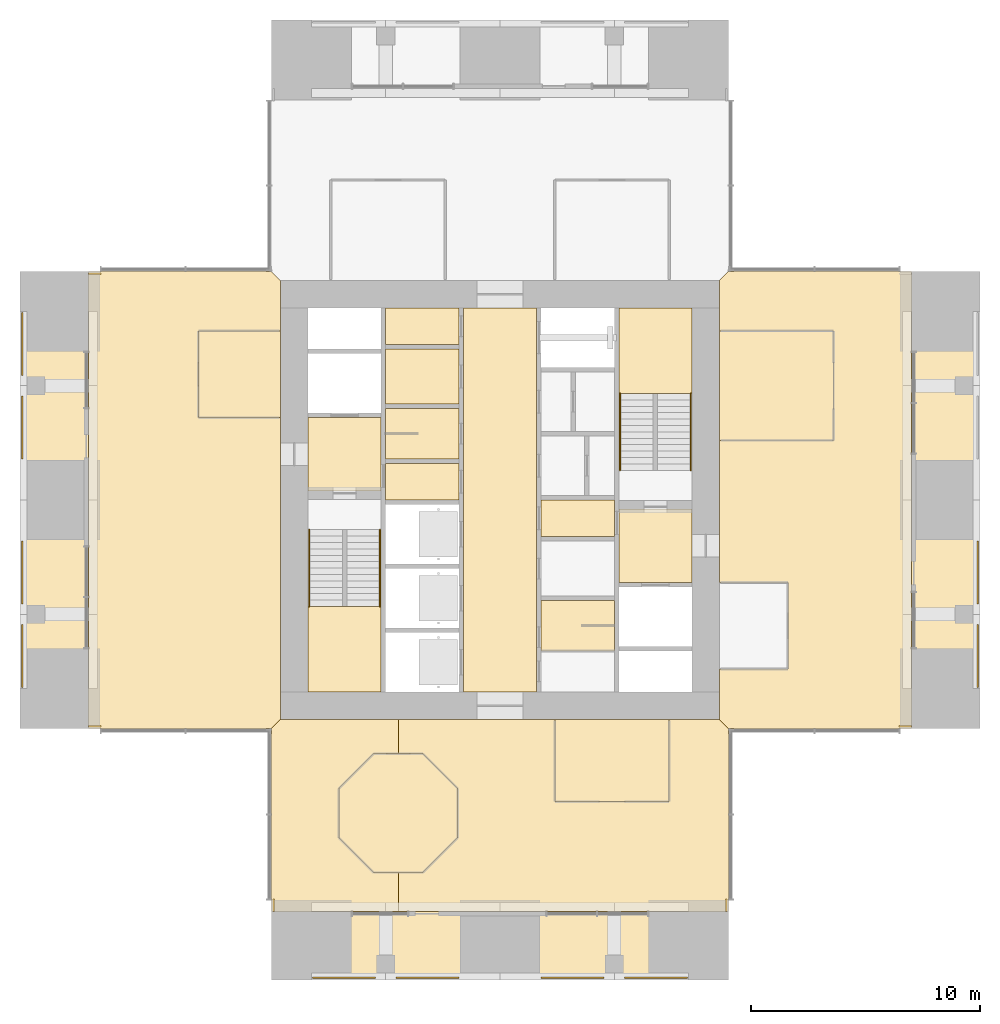
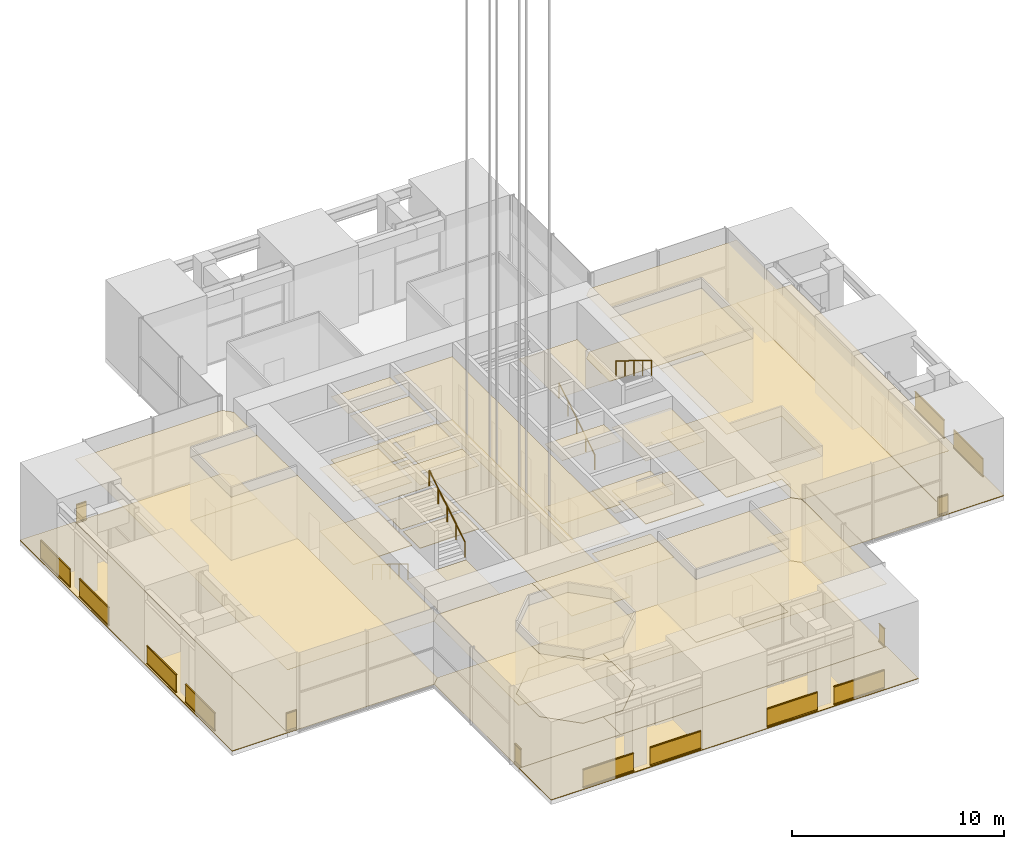
# One storey, part 15 of 17: 38 coverings, 19 railings.
"""IFC4 building model written with IfcOpenShell, lengths in metres."""

from ifc_helpers import new_model, si_unit, direction, frame, origin, origin_2d, place, context, subcontext, project, spatial, polyline, rectangle, circle, outline, extrude, material, layer, layer_set, type_object, element, save


model = new_model("IFC4")

# Units and contexts
model_context = context("Model", 3, precision=1e-05, world=origin(), true_north=direction((0.0, 1.0)))
body_context = subcontext(model_context, "Body", "Model", "MODEL_VIEW")
ifc_project = project(units=[si_unit("LENGTHUNIT", "METRE"), si_unit("AREAUNIT", "SQUARE_METRE"), si_unit("VOLUMEUNIT", "CUBIC_METRE"), si_unit("PLANEANGLEUNIT", "RADIAN"), si_unit("MASSUNIT", "GRAM", prefix="KILO")], contexts=[model_context])

# Site, building, storey
site_placement = place(None, origin())
site = spatial("IfcSite", under=ifc_project, at=site_placement, CompositionType="ELEMENT")
building_placement = place(site_placement, origin())
building = spatial("IfcBuilding", under=site, at=building_placement, Name="Svetlomir Tower", CompositionType="ELEMENT")
storey_placement = place(building_placement, frame((0.0, 0.0, 239.5)))
storey = spatial("IfcBuildingStorey", under=building, at=storey_placement, Name="L57", CompositionType="ELEMENT", Elevation=239.5)

# Railings
ifc_material_1 = material(Name="Bronze anodised aluminium and laminated glass", Category="aluminium")
railing_type_1 = type_object("IfcRailingType", Name="BALCONY GUARD GR1 1100", PredefinedType="GUARDRAIL", material=ifc_material_1)
for number, where, name in (
    (1, (12.800048828125, 0.10009765625, 0.0), "Loggia guard S L57 bay 1"),
    (2, (16.449951171875, 0.10009765625, 0.0), "Loggia guard S L57 bay 2"),
    (3, (22.800048828125, 0.10009765625, 0.0), "Loggia guard S L57 bay 3"),
    (4, (26.449951171875, 0.10009765625, 0.0), "Loggia guard S L57 bay 4"),
):
    element("IfcRailing", number, at=place(storey_placement, frame(where)), inside=storey, type_object=railing_type_1, Name=name, PredefinedType="GUARDRAIL", context=body_context, shape_type="SweptSolid", body=[
        extrude(rectangle(XDim=0.06005859375, YDim=0.10009765625, at=origin_2d()), frame((0.0, 0.0, 0.050048828125), z_axis=(1.0, 0.0, 0.0), x_axis=(0.0, 1.0, 0.0)), (0.0, 0.0, 1.0), 2.75),
        extrude(rectangle(XDim=0.021484375, YDim=0.960205078125, at=origin_2d()), frame((0.0, 0.0, 0.580078125), z_axis=(1.0, 0.0, 0.0), x_axis=(0.0, 1.0, 0.0)), (0.0, 0.0, 1.0), 2.75),
        extrude(rectangle(XDim=0.06005859375, YDim=0.0400390625, at=origin_2d()), frame((0.0, 0.0, 1.080078125), z_axis=(1.0, 0.0, 0.0), x_axis=(0.0, 1.0, 0.0)), (0.0, 0.0, 1.0), 2.75),
    ])
for number, where, name in (
    (5, (11.10009765625, 3.550048828125, 0.0), "Loggia guard S L57 end 1"),
    (6, (30.89990234375, 3.550048828125, 0.0), "Loggia guard S L57 end 2"),
):
    element("IfcRailing", number, at=place(storey_placement, frame(where)), inside=storey, type_object=railing_type_1, Name=name, PredefinedType="GUARDRAIL", context=body_context, shape_type="SweptSolid", body=[
        extrude(rectangle(XDim=0.06005859375, YDim=0.10009765625, at=origin_2d()), frame((0.0, 0.0, 0.050048828125), z_axis=(0.0, -1.0, 0.0), x_axis=(1.0, 0.0, 0.0)), (0.0, 0.0, 1.0), 0.550048828125),
        extrude(rectangle(XDim=0.021484375, YDim=0.960205078125, at=origin_2d()), frame((0.0, 0.0, 0.580078125), z_axis=(0.0, -1.0, 0.0), x_axis=(1.0, 0.0, 0.0)), (0.0, 0.0, 1.0), 0.550048828125),
        extrude(rectangle(XDim=0.06005859375, YDim=0.0400390625, at=origin_2d()), frame((0.0, 0.0, 1.080078125), z_axis=(0.0, -1.0, 0.0), x_axis=(1.0, 0.0, 0.0)), (0.0, 0.0, 1.0), 0.550048828125),
    ])
for number, where, name in (
    (7, (41.89990234375, 12.800048828125, 0.0), "Loggia guard E L57 bay 1"),
    (8, (41.89990234375, 16.449951171875, 0.0), "Loggia guard E L57 bay 2"),
):
    element("IfcRailing", number, at=place(storey_placement, frame(where)), inside=storey, type_object=railing_type_1, Name=name, PredefinedType="GUARDRAIL", context=body_context, shape_type="SweptSolid", body=[
        extrude(rectangle(XDim=0.06005859375, YDim=0.10009765625, at=origin_2d()), frame((0.0, 0.0, 0.050048828125), z_axis=(0.0, 1.0, 0.0), x_axis=(-1.0, 0.0, 0.0)), (0.0, 0.0, 1.0), 2.75),
        extrude(rectangle(XDim=0.021484375, YDim=0.960205078125, at=origin_2d()), frame((0.0, 0.0, 0.580078125), z_axis=(0.0, 1.0, 0.0), x_axis=(-1.0, 0.0, 0.0)), (0.0, 0.0, 1.0), 2.75),
        extrude(rectangle(XDim=0.06005859375, YDim=0.0400390625, at=origin_2d()), frame((0.0, 0.0, 1.080078125), z_axis=(0.0, 1.0, 0.0), x_axis=(-1.0, 0.0, 0.0)), (0.0, 0.0, 1.0), 2.75),
    ])
railing_1_placement = place(storey_placement, frame((38.449951171875, 11.10009765625, 0.0)))
element("IfcRailing", 9, at=railing_1_placement, inside=storey, type_object=railing_type_1, Name="Loggia guard E L57 end 1", PredefinedType="GUARDRAIL", context=body_context, shape_type="SweptSolid", body=[
    extrude(rectangle(XDim=0.06005859375, YDim=0.10009765625, at=origin_2d()), frame((0.0, 0.0, 0.050048828125), z_axis=(1.0, 0.0, 0.0), x_axis=(0.0, 1.0, 0.0)), (0.0, 0.0, 1.0), 0.550048828125),
    extrude(rectangle(XDim=0.021484375, YDim=0.960205078125, at=origin_2d()), frame((0.0, 0.0, 0.580078125), z_axis=(1.0, 0.0, 0.0), x_axis=(0.0, 1.0, 0.0)), (0.0, 0.0, 1.0), 0.550048828125),
    extrude(rectangle(XDim=0.06005859375, YDim=0.0400390625, at=origin_2d()), frame((0.0, 0.0, 1.080078125), z_axis=(1.0, 0.0, 0.0), x_axis=(0.0, 1.0, 0.0)), (0.0, 0.0, 1.0), 0.550048828125),
])
for number, where, name in (
    (10, (0.10009765625, 12.800048828125, 0.0), "Loggia guard W L57 bay 1"),
    (11, (0.10009765625, 16.449951171875, 0.0), "Loggia guard W L57 bay 2"),
    (12, (0.10009765625, 22.800048828125, 0.0), "Loggia guard W L57 bay 3"),
    (13, (0.10009765625, 26.449951171875, 0.0), "Loggia guard W L57 bay 4"),
):
    element("IfcRailing", number, at=place(storey_placement, frame(where)), inside=storey, type_object=railing_type_1, Name=name, PredefinedType="GUARDRAIL", context=body_context, shape_type="SweptSolid", body=[
        extrude(rectangle(XDim=0.06005859375, YDim=0.10009765625, at=origin_2d()), frame((0.0, 0.0, 0.050048828125), z_axis=(0.0, 1.0, 0.0), x_axis=(-1.0, 0.0, 0.0)), (0.0, 0.0, 1.0), 2.75),
        extrude(rectangle(XDim=0.021484375, YDim=0.960205078125, at=origin_2d()), frame((0.0, 0.0, 0.580078125), z_axis=(0.0, 1.0, 0.0), x_axis=(-1.0, 0.0, 0.0)), (0.0, 0.0, 1.0), 2.75),
        extrude(rectangle(XDim=0.06005859375, YDim=0.0400390625, at=origin_2d()), frame((0.0, 0.0, 1.080078125), z_axis=(0.0, 1.0, 0.0), x_axis=(-1.0, 0.0, 0.0)), (0.0, 0.0, 1.0), 2.75),
    ])
for number, where, name in (
    (14, (3.550048828125, 11.10009765625, 0.0), "Loggia guard W L57 end 1"),
    (15, (3.550048828125, 30.89990234375, 0.0), "Loggia guard W L57 end 2"),
):
    element("IfcRailing", number, at=place(storey_placement, frame(where)), inside=storey, type_object=railing_type_1, Name=name, PredefinedType="GUARDRAIL", context=body_context, shape_type="SweptSolid", body=[
        extrude(rectangle(XDim=0.06005859375, YDim=0.10009765625, at=origin_2d()), frame((0.0, 0.0, 0.050048828125), z_axis=(-1.0, 0.0, 0.0), x_axis=(0.0, -1.0, 0.0)), (0.0, 0.0, 1.0), 0.550048828125),
        extrude(rectangle(XDim=0.021484375, YDim=0.960205078125, at=origin_2d()), frame((0.0, 0.0, 0.580078125), z_axis=(-1.0, 0.0, 0.0), x_axis=(0.0, -1.0, 0.0)), (0.0, 0.0, 1.0), 0.550048828125),
        extrude(rectangle(XDim=0.06005859375, YDim=0.0400390625, at=origin_2d()), frame((0.0, 0.0, 1.080078125), z_axis=(-1.0, 0.0, 0.0), x_axis=(0.0, -1.0, 0.0)), (0.0, 0.0, 1.0), 0.550048828125),
    ])

# Coverings
ifc_material_2 = material(Name="Granite paving slabs on pedestals", Category="masonry")
ifc_layer_1 = layer(ifc_material_2, 0.0400390625)
ifc_layer_set_1 = layer_set([ifc_layer_1], Name="Granite paving slabs on pedestals")
covering_type_1 = type_object("IfcCoveringType", Name="BALCONY PAVING 40", PredefinedType="USERDEFINED", material=ifc_layer_set_1)
covering_1_placement = place(storey_placement, origin())
element("IfcCovering", 16, at=covering_1_placement, inside=storey, type_object=covering_type_1, Name="Loggia paving S L57", ObjectType="BALCONY PAVING", PredefinedType="USERDEFINED", context=body_context, shape_type="SweptSolid", body=[
    extrude(outline(polyline([(11.0, 0.0), (31.0, 0.0), (31.0, 3.0), (11.0, 3.0), (11.0, 0.0)])), origin(), (0.0, 0.0, 1.0), 0.0400390625),
])
covering_2_placement = place(storey_placement, origin())
element("IfcCovering", 17, at=covering_2_placement, inside=storey, type_object=covering_type_1, Name="Loggia paving E L57", ObjectType="BALCONY PAVING", PredefinedType="USERDEFINED", context=body_context, shape_type="SweptSolid", body=[
    extrude(outline(polyline([(39.0, 11.0), (42.0, 11.0), (42.0, 31.0), (39.0, 31.0), (39.0, 11.0)])), origin(), (0.0, 0.0, 1.0), 0.0400390625),
])
covering_3_placement = place(storey_placement, origin())
element("IfcCovering", 18, at=covering_3_placement, inside=storey, type_object=covering_type_1, Name="Loggia paving W L57", ObjectType="BALCONY PAVING", PredefinedType="USERDEFINED", context=body_context, shape_type="SweptSolid", body=[
    extrude(outline(polyline([(0.0, 11.0), (3.0, 11.0), (3.0, 31.0), (0.0, 31.0), (0.0, 11.0)])), origin(), (0.0, 0.0, 1.0), 0.0400390625),
])
ifc_material_3 = material(Name="Ceramic floor tile", Category="ceramic")
ifc_layer_2 = layer(ifc_material_3, 0.014892578125)
ifc_layer_set_2 = layer_set([ifc_layer_2], Name="Ceramic floor tile")
covering_type_2 = type_object("IfcCoveringType", Name="CERAMIC TILE FLOOR 15", PredefinedType="FLOORING", material=ifc_layer_set_2)
covering_4_placement = place(storey_placement, origin())
element("IfcCovering", 19, at=covering_4_placement, inside=storey, type_object=covering_type_2, Name="Floor finish L57-04", PredefinedType="FLOORING", context=body_context, shape_type="SweptSolid", body=[
    extrude(outline(polyline([(16.0, 22.800048828125), (19.199951171875, 22.800048828125), (19.199951171875, 25.0), (16.0, 25.0), (16.0, 22.800048828125)])), origin(), (0.0, 0.0, 1.0), 0.014892578125),
])
covering_5_placement = place(storey_placement, origin())
element("IfcCovering", 20, at=covering_5_placement, inside=storey, type_object=covering_type_2, Name="Floor finish L57-05", PredefinedType="FLOORING", context=body_context, shape_type="SweptSolid", body=[
    extrude(outline(polyline([(16.0, 25.199951171875), (19.199951171875, 25.199951171875), (19.199951171875, 27.60009765625), (16.0, 27.60009765625), (16.0, 25.199951171875)])), origin(), (0.0, 0.0, 1.0), 0.014892578125),
])
covering_6_placement = place(storey_placement, origin())
element("IfcCovering", 21, at=covering_6_placement, inside=storey, type_object=covering_type_2, Name="Floor finish L57-09", PredefinedType="FLOORING", context=body_context, shape_type="SweptSolid", body=[
    extrude(outline(polyline([(22.800048828125, 14.39990234375), (26.0, 14.39990234375), (26.0, 16.60009765625), (22.800048828125, 16.60009765625), (22.800048828125, 14.39990234375)])), origin(), (0.0, 0.0, 1.0), 0.014892578125),
])

# Railings
ifc_material_4 = material(Name="Stainless steel", Category="steel")
railing_type_2 = type_object("IfcRailingType", Name="HANDRAIL HR1 900", PredefinedType="HANDRAIL", material=ifc_material_4)
railing_2_placement = place(storey_placement, frame((12.64990234375, 19.699951171875, 0.173095703125)))
element("IfcRailing", 22, at=railing_2_placement, inside=storey, type_object=railing_type_2, Name="Handrail S1 flight 1 L57", PredefinedType="HANDRAIL", context=body_context, shape_type="SweptSolid", body=[
    extrude(circle(Radius=0.02392578125, at=origin_2d()), frame((0.0, 0.0, 0.8759765625), z_axis=(0.0, -0.850606129759, 0.525803396734), x_axis=(1.0, 0.0, 0.0)), (0.0, 0.0, 1.0), 3.949951171875),
    extrude(circle(Radius=0.02099609375, at=origin_2d()), origin(), (0.0, 0.0, 1.0), 0.851806640625),
    extrude(circle(Radius=0.02099609375, at=origin_2d()), frame((0.0, -0.83984375, 0.519287109375)), (0.0, 0.0, 1.0), 0.851806640625),
    extrude(circle(Radius=0.02099609375, at=origin_2d()), frame((0.0, -1.679931640625, 1.03857421875)), (0.0, 0.0, 1.0), 0.851806640625),
    extrude(circle(Radius=0.02099609375, at=origin_2d()), frame((0.0, -2.52001953125, 1.5576171875)), (0.0, 0.0, 1.0), 0.851806640625),
    extrude(circle(Radius=0.02099609375, at=origin_2d()), frame((0.0, -3.35986328125, 2.076904296875)), (0.0, 0.0, 1.0), 0.851806640625),
])
for number, where, name in (
    (23, (15.75, 16.340087890625, 2.423095703125), "Handrail S1 flight 2 L57"),
    (24, (26.25, 22.300048828125, 0.173095703125), "Handrail S2 flight 1 L57"),
):
    element("IfcRailing", number, at=place(storey_placement, frame(where)), inside=storey, type_object=railing_type_2, Name=name, PredefinedType="HANDRAIL", context=body_context, shape_type="SweptSolid", body=[
        extrude(circle(Radius=0.02392578125, at=origin_2d()), frame((0.0, 0.0, 0.8759765625), z_axis=(0.0, 0.850606129759, 0.525803396734), x_axis=(-1.0, 0.0, 0.0)), (0.0, 0.0, 1.0), 3.949951171875),
        extrude(circle(Radius=0.02099609375, at=origin_2d()), origin(), (0.0, 0.0, 1.0), 0.851806640625),
        extrude(circle(Radius=0.02099609375, at=origin_2d()), frame((0.0, 0.83984375, 0.519287109375)), (0.0, 0.0, 1.0), 0.851806640625),
        extrude(circle(Radius=0.02099609375, at=origin_2d()), frame((0.0, 1.679931640625, 1.03857421875)), (0.0, 0.0, 1.0), 0.851806640625),
        extrude(circle(Radius=0.02099609375, at=origin_2d()), frame((0.0, 2.52001953125, 1.5576171875)), (0.0, 0.0, 1.0), 0.851806640625),
        extrude(circle(Radius=0.02099609375, at=origin_2d()), frame((0.0, 3.35986328125, 2.076904296875)), (0.0, 0.0, 1.0), 0.851806640625),
    ])
railing_3_placement = place(storey_placement, frame((29.35009765625, 25.659912109375, 2.423095703125)))
element("IfcRailing", 25, at=railing_3_placement, inside=storey, type_object=railing_type_2, Name="Handrail S2 flight 2 L57", PredefinedType="HANDRAIL", context=body_context, shape_type="SweptSolid", body=[
    extrude(circle(Radius=0.02392578125, at=origin_2d()), frame((0.0, 0.0, 0.8759765625), z_axis=(0.0, -0.850606129759, 0.525803396734), x_axis=(1.0, 0.0, 0.0)), (0.0, 0.0, 1.0), 3.949951171875),
    extrude(circle(Radius=0.02099609375, at=origin_2d()), origin(), (0.0, 0.0, 1.0), 0.851806640625),
    extrude(circle(Radius=0.02099609375, at=origin_2d()), frame((0.0, -0.83984375, 0.519287109375)), (0.0, 0.0, 1.0), 0.851806640625),
    extrude(circle(Radius=0.02099609375, at=origin_2d()), frame((0.0, -1.679931640625, 1.03857421875)), (0.0, 0.0, 1.0), 0.851806640625),
    extrude(circle(Radius=0.02099609375, at=origin_2d()), frame((0.0, -2.52001953125, 1.5576171875)), (0.0, 0.0, 1.0), 0.851806640625),
    extrude(circle(Radius=0.02099609375, at=origin_2d()), frame((0.0, -3.35986328125, 2.076904296875)), (0.0, 0.0, 1.0), 0.851806640625),
])

# Coverings
ifc_material_5 = material(Name="Moisture resistant plasterboard ceiling", Category="gypsum")
ifc_layer_3 = layer(ifc_material_5, 0.012451171875)
ifc_layer_set_3 = layer_set([ifc_layer_3], Name="Moisture resistant plasterboard ceiling")
covering_type_3 = type_object("IfcCoveringType", Name="MOISTURE RESISTANT CEILING 12.5", PredefinedType="CEILING", material=ifc_layer_set_3)
covering_7_placement = place(storey_placement, frame((0.0, 0.0, 3.637451171875)))
element("IfcCovering", 26, at=covering_7_placement, inside=storey, type_object=covering_type_3, Name="Ceiling L57-04", PredefinedType="CEILING", context=body_context, shape_type="SweptSolid", body=[
    extrude(outline(polyline([(16.0, 22.800048828125), (19.199951171875, 22.800048828125), (19.199951171875, 25.0), (16.0, 25.0), (16.0, 22.800048828125)])), origin(), (0.0, 0.0, 1.0), 0.012451171875),
])
covering_8_placement = place(storey_placement, frame((0.0, 0.0, 3.637451171875)))
element("IfcCovering", 27, at=covering_8_placement, inside=storey, type_object=covering_type_3, Name="Ceiling L57-05", PredefinedType="CEILING", context=body_context, shape_type="SweptSolid", body=[
    extrude(outline(polyline([(16.0, 25.199951171875), (19.199951171875, 25.199951171875), (19.199951171875, 27.60009765625), (16.0, 27.60009765625), (16.0, 25.199951171875)])), origin(), (0.0, 0.0, 1.0), 0.012451171875),
])
covering_9_placement = place(storey_placement, frame((0.0, 0.0, 3.637451171875)))
element("IfcCovering", 28, at=covering_9_placement, inside=storey, type_object=covering_type_3, Name="Ceiling L57-09", PredefinedType="CEILING", context=body_context, shape_type="SweptSolid", body=[
    extrude(outline(polyline([(22.800048828125, 14.39990234375), (26.0, 14.39990234375), (26.0, 16.60009765625), (22.800048828125, 16.60009765625), (22.800048828125, 14.39990234375)])), origin(), (0.0, 0.0, 1.0), 0.012451171875),
])
ifc_material_6 = material(Name="Engineered oak floor", Category="wood")
ifc_layer_4 = layer(ifc_material_6, 0.02001953125)
ifc_layer_set_4 = layer_set([ifc_layer_4], Name="Engineered oak floor")
covering_type_4 = type_object("IfcCoveringType", Name="OAK FLOOR 20", PredefinedType="FLOORING", material=ifc_layer_set_4)
covering_10_placement = place(storey_placement, origin())
element("IfcCovering", 29, at=covering_10_placement, inside=storey, type_object=covering_type_4, Name="Floor finish L57-18", PredefinedType="FLOORING", context=body_context, shape_type="SweptSolid", body=[
    extrude(outline(polyline([(23.39990234375, 7.800048828125), (28.39990234375, 7.800048828125), (28.39990234375, 11.39990234375), (23.39990234375, 11.39990234375), (23.39990234375, 7.800048828125)])), origin(), (0.0, 0.0, 1.0), 0.02001953125),
])
covering_11_placement = place(storey_placement, origin())
element("IfcCovering", 30, at=covering_11_placement, inside=storey, type_object=covering_type_4, Name="Floor finish L57-19", PredefinedType="FLOORING", context=body_context, shape_type="SweptSolid", body=[
    extrude(outline(polyline([(15.472900390625, 4.699951171875), (17.626953125, 4.699951171875), (19.14990234375, 6.222900390625), (19.14990234375, 8.376953125), (17.626953125, 9.89990234375), (15.472900390625, 9.89990234375), (13.949951171875, 8.376953125), (13.949951171875, 6.222900390625), (15.472900390625, 4.699951171875)])), origin(), (0.0, 0.0, 1.0), 0.02001953125),
])
covering_12_placement = place(storey_placement, origin())
element("IfcCovering", 31, at=covering_12_placement, inside=storey, type_object=covering_type_4, Name="Floor finish L57-24", PredefinedType="FLOORING", context=body_context, shape_type="SweptSolid", body=[
    extrude(outline(polyline([(7.800048828125, 24.60009765625), (11.39990234375, 24.60009765625), (11.39990234375, 28.39990234375), (7.800048828125, 28.39990234375), (7.800048828125, 24.60009765625)])), origin(), (0.0, 0.0, 1.0), 0.02001953125),
])
covering_13_placement = place(storey_placement, origin())
element("IfcCovering", 32, at=covering_13_placement, inside=storey, type_object=covering_type_4, Name="Floor finish L57-25", PredefinedType="FLOORING", context=body_context, shape_type="SweptSolid", body=[
    extrude(outline(polyline([(16.550048828125, 3.0), (11.0, 3.0), (11.0, 11.0), (11.39990234375, 11.39990234375), (16.550048828125, 11.39990234375), (16.550048828125, 9.89990234375), (15.472900390625, 9.89990234375), (13.949951171875, 8.376953125), (13.949951171875, 6.222900390625), (15.472900390625, 4.699951171875), (16.550048828125, 4.699951171875), (16.550048828125, 3.0)])), origin(), (0.0, 0.0, 1.0), 0.02001953125),
])
covering_14_placement = place(storey_placement, origin())
element("IfcCovering", 33, at=covering_14_placement, inside=storey, type_object=covering_type_4, Name="Floor finish L57-26", PredefinedType="FLOORING", context=body_context, shape_type="SweptSolid", body=[
    extrude(outline(polyline([(31.0, 3.0), (16.550048828125, 3.0), (16.550048828125, 4.699951171875), (17.626953125, 4.699951171875), (19.14990234375, 6.222900390625), (19.14990234375, 8.376953125), (17.626953125, 9.89990234375), (16.550048828125, 9.89990234375), (16.550048828125, 11.39990234375), (23.39990234375, 11.39990234375), (23.39990234375, 7.800048828125), (28.39990234375, 7.800048828125), (28.39990234375, 11.39990234375), (30.60009765625, 11.39990234375), (31.0, 11.0), (31.0, 3.0)])), origin(), (0.0, 0.0, 1.0), 0.02001953125),
])
covering_15_placement = place(storey_placement, origin())
element("IfcCovering", 34, at=covering_15_placement, inside=storey, type_object=covering_type_4, Name="Floor finish L57-27", PredefinedType="FLOORING", context=body_context, shape_type="SweptSolid", body=[
    extrude(outline(polyline([(30.60009765625, 13.60009765625), (33.60009765625, 13.60009765625), (33.60009765625, 17.39990234375), (30.60009765625, 17.39990234375), (30.60009765625, 23.60009765625), (35.60009765625, 23.60009765625), (35.60009765625, 28.39990234375), (30.60009765625, 28.39990234375), (30.60009765625, 30.60009765625), (31.0, 31.0), (39.0, 31.0), (39.0, 11.0), (31.0, 11.0), (30.60009765625, 11.39990234375), (30.60009765625, 13.60009765625)])), origin(), (0.0, 0.0, 1.0), 0.02001953125),
])
covering_16_placement = place(storey_placement, origin())
element("IfcCovering", 35, at=covering_16_placement, inside=storey, type_object=covering_type_4, Name="Floor finish L57-29", PredefinedType="FLOORING", context=body_context, shape_type="SweptSolid", body=[
    extrude(outline(polyline([(3.0, 11.0), (3.0, 31.0), (11.0, 31.0), (11.39990234375, 30.60009765625), (11.39990234375, 28.39990234375), (7.800048828125, 28.39990234375), (7.800048828125, 24.60009765625), (11.39990234375, 24.60009765625), (11.39990234375, 11.39990234375), (11.0, 11.0), (3.0, 11.0)])), origin(), (0.0, 0.0, 1.0), 0.02001953125),
])
ifc_material_7 = material(Name="Gypsum plasterboard ceiling", Category="gypsum")
ifc_layer_5 = layer(ifc_material_7, 0.014892578125)
ifc_layer_set_5 = layer_set([ifc_layer_5], Name="Gypsum plasterboard ceiling")
covering_type_5 = type_object("IfcCoveringType", Name="PLASTERBOARD CEILING 15", PredefinedType="CEILING", material=ifc_layer_set_5)
covering_17_placement = place(storey_placement, frame((0.0, 0.0, 3.635009765625)))
element("IfcCovering", 36, at=covering_17_placement, inside=storey, type_object=covering_type_5, Name="Ceiling L57-02", PredefinedType="CEILING", context=body_context, shape_type="SweptSolid", body=[
    extrude(outline(polyline([(12.60009765625, 21.39990234375), (15.800048828125, 21.39990234375), (15.800048828125, 24.60009765625), (12.60009765625, 24.60009765625), (12.60009765625, 21.39990234375)])), origin(), (0.0, 0.0, 1.0), 0.014892578125),
])
covering_18_placement = place(storey_placement, frame((0.0, 0.0, 3.635009765625)))
element("IfcCovering", 37, at=covering_18_placement, inside=storey, type_object=covering_type_5, Name="Ceiling L57-03", PredefinedType="CEILING", context=body_context, shape_type="SweptSolid", body=[
    extrude(outline(polyline([(16.0, 21.0), (19.199951171875, 21.0), (19.199951171875, 22.60009765625), (16.0, 22.60009765625), (16.0, 21.0)])), origin(), (0.0, 0.0, 1.0), 0.014892578125),
])
covering_19_placement = place(storey_placement, frame((0.0, 0.0, 3.635009765625)))
element("IfcCovering", 38, at=covering_19_placement, inside=storey, type_object=covering_type_5, Name="Ceiling L57-06", PredefinedType="CEILING", context=body_context, shape_type="SweptSolid", body=[
    extrude(outline(polyline([(16.0, 27.800048828125), (19.199951171875, 27.800048828125), (19.199951171875, 29.39990234375), (16.0, 29.39990234375), (16.0, 27.800048828125)])), origin(), (0.0, 0.0, 1.0), 0.014892578125),
])
covering_20_placement = place(storey_placement, frame((0.0, 0.0, 3.635009765625)))
element("IfcCovering", 39, at=covering_20_placement, inside=storey, type_object=covering_type_5, Name="Ceiling L57-07", PredefinedType="CEILING", context=body_context, shape_type="SweptSolid", body=[
    extrude(outline(polyline([(19.39990234375, 12.60009765625), (22.60009765625, 12.60009765625), (22.60009765625, 29.39990234375), (19.39990234375, 29.39990234375), (19.39990234375, 12.60009765625)])), origin(), (0.0, 0.0, 1.0), 0.014892578125),
])
covering_21_placement = place(storey_placement, frame((0.0, 0.0, 3.635009765625)))
element("IfcCovering", 40, at=covering_21_placement, inside=storey, type_object=covering_type_5, Name="Ceiling L57-11", PredefinedType="CEILING", context=body_context, shape_type="SweptSolid", body=[
    extrude(outline(polyline([(22.800048828125, 19.39990234375), (26.0, 19.39990234375), (26.0, 21.0), (22.800048828125, 21.0), (22.800048828125, 19.39990234375)])), origin(), (0.0, 0.0, 1.0), 0.014892578125),
])
covering_22_placement = place(storey_placement, frame((0.0, 0.0, 3.635009765625)))
element("IfcCovering", 41, at=covering_22_placement, inside=storey, type_object=covering_type_5, Name="Ceiling L57-12", PredefinedType="CEILING", context=body_context, shape_type="SweptSolid", body=[
    extrude(outline(polyline([(26.199951171875, 17.39990234375), (29.39990234375, 17.39990234375), (29.39990234375, 20.60009765625), (26.199951171875, 20.60009765625), (26.199951171875, 17.39990234375)])), origin(), (0.0, 0.0, 1.0), 0.014892578125),
])
ifc_material_8 = material(Name="Studded rubber floor finish", Category="rubber")
ifc_layer_6 = layer(ifc_material_8, 0.006103515625)
ifc_layer_set_6 = layer_set([ifc_layer_6], Name="Studded rubber floor finish")
covering_type_6 = type_object("IfcCoveringType", Name="RUBBER LANDING FINISH 6", PredefinedType="FLOORING", material=ifc_layer_set_6)
covering_23_placement = place(storey_placement, frame((0.0, 0.0, 2.25)))
element("IfcCovering", 42, at=covering_23_placement, inside=storey, type_object=covering_type_6, Name="Stair S1 landing finish L57", PredefinedType="FLOORING", context=body_context, shape_type="SweptSolid", body=[
    extrude(outline(polyline([(12.60009765625, 12.60009765625), (15.800048828125, 12.60009765625), (15.800048828125, 16.340087890625), (12.60009765625, 16.340087890625), (12.60009765625, 12.60009765625)])), origin(), (0.0, 0.0, 1.0), 0.006103515625),
])
covering_24_placement = place(storey_placement, frame((0.0, 0.0, 2.25)))
element("IfcCovering", 43, at=covering_24_placement, inside=storey, type_object=covering_type_6, Name="Stair S2 landing finish L57", PredefinedType="FLOORING", context=body_context, shape_type="SweptSolid", body=[
    extrude(outline(polyline([(26.199951171875, 25.659912109375), (29.39990234375, 25.659912109375), (29.39990234375, 29.39990234375), (26.199951171875, 29.39990234375), (26.199951171875, 25.659912109375)])), origin(), (0.0, 0.0, 1.0), 0.006103515625),
])
ifc_material_9 = material(Name="Mineral fibre ceiling tile", Category="mineral")
ifc_layer_7 = layer(ifc_material_9, 0.02001953125)
ifc_layer_set_7 = layer_set([ifc_layer_7], Name="Mineral fibre ceiling tile")
covering_type_7 = type_object("IfcCoveringType", Name="SUSPENDED CEILING 20", PredefinedType="CEILING", material=ifc_layer_set_7)
covering_25_placement = place(storey_placement, frame((0.0, 0.0, 3.6298828125)))
element("IfcCovering", 44, at=covering_25_placement, inside=storey, type_object=covering_type_7, Name="Ceiling L57-18", PredefinedType="CEILING", context=body_context, shape_type="SweptSolid", body=[
    extrude(outline(polyline([(23.39990234375, 7.800048828125), (28.39990234375, 7.800048828125), (28.39990234375, 11.39990234375), (23.39990234375, 11.39990234375), (23.39990234375, 7.800048828125)])), origin(), (0.0, 0.0, 1.0), 0.02001953125),
])
covering_26_placement = place(storey_placement, frame((0.0, 0.0, 3.6298828125)))
element("IfcCovering", 45, at=covering_26_placement, inside=storey, type_object=covering_type_7, Name="Ceiling L57-19", PredefinedType="CEILING", context=body_context, shape_type="SweptSolid", body=[
    extrude(outline(polyline([(15.472900390625, 4.699951171875), (17.626953125, 4.699951171875), (19.14990234375, 6.222900390625), (19.14990234375, 8.376953125), (17.626953125, 9.89990234375), (15.472900390625, 9.89990234375), (13.949951171875, 8.376953125), (13.949951171875, 6.222900390625), (15.472900390625, 4.699951171875)])), origin(), (0.0, 0.0, 1.0), 0.02001953125),
])
covering_27_placement = place(storey_placement, frame((0.0, 0.0, 3.6298828125)))
element("IfcCovering", 46, at=covering_27_placement, inside=storey, type_object=covering_type_7, Name="Ceiling L57-21", PredefinedType="CEILING", context=body_context, shape_type="SweptSolid", body=[
    extrude(outline(polyline([(30.60009765625, 23.60009765625), (35.60009765625, 23.60009765625), (35.60009765625, 28.39990234375), (30.60009765625, 28.39990234375), (30.60009765625, 23.60009765625)])), origin(), (0.0, 0.0, 1.0), 0.02001953125),
])
covering_28_placement = place(storey_placement, frame((0.0, 0.0, 3.6298828125)))
element("IfcCovering", 47, at=covering_28_placement, inside=storey, type_object=covering_type_7, Name="Ceiling L57-24", PredefinedType="CEILING", context=body_context, shape_type="SweptSolid", body=[
    extrude(outline(polyline([(7.800048828125, 24.60009765625), (11.39990234375, 24.60009765625), (11.39990234375, 28.39990234375), (7.800048828125, 28.39990234375), (7.800048828125, 24.60009765625)])), origin(), (0.0, 0.0, 1.0), 0.02001953125),
])
covering_29_placement = place(storey_placement, frame((0.0, 0.0, 3.6298828125)))
element("IfcCovering", 48, at=covering_29_placement, inside=storey, type_object=covering_type_7, Name="Ceiling L57-25", PredefinedType="CEILING", context=body_context, shape_type="SweptSolid", body=[
    extrude(outline(polyline([(16.550048828125, 3.0), (11.0, 3.0), (11.0, 11.0), (11.39990234375, 11.39990234375), (16.550048828125, 11.39990234375), (16.550048828125, 9.89990234375), (15.472900390625, 9.89990234375), (13.949951171875, 8.376953125), (13.949951171875, 6.222900390625), (15.472900390625, 4.699951171875), (16.550048828125, 4.699951171875), (16.550048828125, 3.0)])), origin(), (0.0, 0.0, 1.0), 0.02001953125),
])
covering_30_placement = place(storey_placement, frame((0.0, 0.0, 3.6298828125)))
element("IfcCovering", 49, at=covering_30_placement, inside=storey, type_object=covering_type_7, Name="Ceiling L57-26", PredefinedType="CEILING", context=body_context, shape_type="SweptSolid", body=[
    extrude(outline(polyline([(31.0, 3.0), (16.550048828125, 3.0), (16.550048828125, 4.699951171875), (17.626953125, 4.699951171875), (19.14990234375, 6.222900390625), (19.14990234375, 8.376953125), (17.626953125, 9.89990234375), (16.550048828125, 9.89990234375), (16.550048828125, 11.39990234375), (23.39990234375, 11.39990234375), (23.39990234375, 7.800048828125), (28.39990234375, 7.800048828125), (28.39990234375, 11.39990234375), (30.60009765625, 11.39990234375), (31.0, 11.0), (31.0, 3.0)])), origin(), (0.0, 0.0, 1.0), 0.02001953125),
])
covering_31_placement = place(storey_placement, frame((0.0, 0.0, 3.6298828125)))
element("IfcCovering", 50, at=covering_31_placement, inside=storey, type_object=covering_type_7, Name="Ceiling L57-27", PredefinedType="CEILING", context=body_context, shape_type="SweptSolid", body=[
    extrude(outline(polyline([(30.60009765625, 13.60009765625), (33.60009765625, 13.60009765625), (33.60009765625, 17.39990234375), (30.60009765625, 17.39990234375), (30.60009765625, 23.60009765625), (35.60009765625, 23.60009765625), (35.60009765625, 28.39990234375), (30.60009765625, 28.39990234375), (30.60009765625, 30.60009765625), (31.0, 31.0), (39.0, 31.0), (39.0, 11.0), (31.0, 11.0), (30.60009765625, 11.39990234375), (30.60009765625, 13.60009765625)])), origin(), (0.0, 0.0, 1.0), 0.02001953125),
])
covering_32_placement = place(storey_placement, frame((0.0, 0.0, 3.6298828125)))
element("IfcCovering", 51, at=covering_32_placement, inside=storey, type_object=covering_type_7, Name="Ceiling L57-29", PredefinedType="CEILING", context=body_context, shape_type="SweptSolid", body=[
    extrude(outline(polyline([(3.0, 11.0), (3.0, 31.0), (11.0, 31.0), (11.39990234375, 30.60009765625), (11.39990234375, 28.39990234375), (7.800048828125, 28.39990234375), (7.800048828125, 24.60009765625), (11.39990234375, 24.60009765625), (11.39990234375, 11.39990234375), (11.0, 11.0), (3.0, 11.0)])), origin(), (0.0, 0.0, 1.0), 0.02001953125),
])
ifc_material_10 = material(Name="Bronze-aggregate terrazzo", Category="stone")
ifc_layer_8 = layer(ifc_material_10, 0.030029296875)
ifc_layer_set_8 = layer_set([ifc_layer_8], Name="Bronze-aggregate terrazzo")
covering_type_8 = type_object("IfcCoveringType", Name="TERRAZZO FLOOR 30", PredefinedType="FLOORING", material=ifc_layer_set_8)
covering_33_placement = place(storey_placement, origin())
element("IfcCovering", 52, at=covering_33_placement, inside=storey, type_object=covering_type_8, Name="Floor finish L57-02", PredefinedType="FLOORING", context=body_context, shape_type="SweptSolid", body=[
    extrude(outline(polyline([(12.60009765625, 21.39990234375), (15.800048828125, 21.39990234375), (15.800048828125, 24.60009765625), (12.60009765625, 24.60009765625), (12.60009765625, 21.39990234375)])), origin(), (0.0, 0.0, 1.0), 0.030029296875),
])
covering_34_placement = place(storey_placement, origin())
element("IfcCovering", 53, at=covering_34_placement, inside=storey, type_object=covering_type_8, Name="Floor finish L57-03", PredefinedType="FLOORING", context=body_context, shape_type="SweptSolid", body=[
    extrude(outline(polyline([(16.0, 21.0), (19.199951171875, 21.0), (19.199951171875, 22.60009765625), (16.0, 22.60009765625), (16.0, 21.0)])), origin(), (0.0, 0.0, 1.0), 0.030029296875),
])
covering_35_placement = place(storey_placement, origin())
element("IfcCovering", 54, at=covering_35_placement, inside=storey, type_object=covering_type_8, Name="Floor finish L57-06", PredefinedType="FLOORING", context=body_context, shape_type="SweptSolid", body=[
    extrude(outline(polyline([(16.0, 27.800048828125), (19.199951171875, 27.800048828125), (19.199951171875, 29.39990234375), (16.0, 29.39990234375), (16.0, 27.800048828125)])), origin(), (0.0, 0.0, 1.0), 0.030029296875),
])
covering_36_placement = place(storey_placement, origin())
element("IfcCovering", 55, at=covering_36_placement, inside=storey, type_object=covering_type_8, Name="Floor finish L57-07", PredefinedType="FLOORING", context=body_context, shape_type="SweptSolid", body=[
    extrude(outline(polyline([(19.39990234375, 12.60009765625), (22.60009765625, 12.60009765625), (22.60009765625, 29.39990234375), (19.39990234375, 29.39990234375), (19.39990234375, 12.60009765625)])), origin(), (0.0, 0.0, 1.0), 0.030029296875),
])
covering_37_placement = place(storey_placement, origin())
element("IfcCovering", 56, at=covering_37_placement, inside=storey, type_object=covering_type_8, Name="Floor finish L57-11", PredefinedType="FLOORING", context=body_context, shape_type="SweptSolid", body=[
    extrude(outline(polyline([(22.800048828125, 19.39990234375), (26.0, 19.39990234375), (26.0, 21.0), (22.800048828125, 21.0), (22.800048828125, 19.39990234375)])), origin(), (0.0, 0.0, 1.0), 0.030029296875),
])
covering_38_placement = place(storey_placement, origin())
element("IfcCovering", 57, at=covering_38_placement, inside=storey, type_object=covering_type_8, Name="Floor finish L57-12", PredefinedType="FLOORING", context=body_context, shape_type="SweptSolid", body=[
    extrude(outline(polyline([(26.199951171875, 17.39990234375), (29.39990234375, 17.39990234375), (29.39990234375, 20.60009765625), (26.199951171875, 20.60009765625), (26.199951171875, 17.39990234375)])), origin(), (0.0, 0.0, 1.0), 0.030029296875),
])

save(model, "model.ifc")
